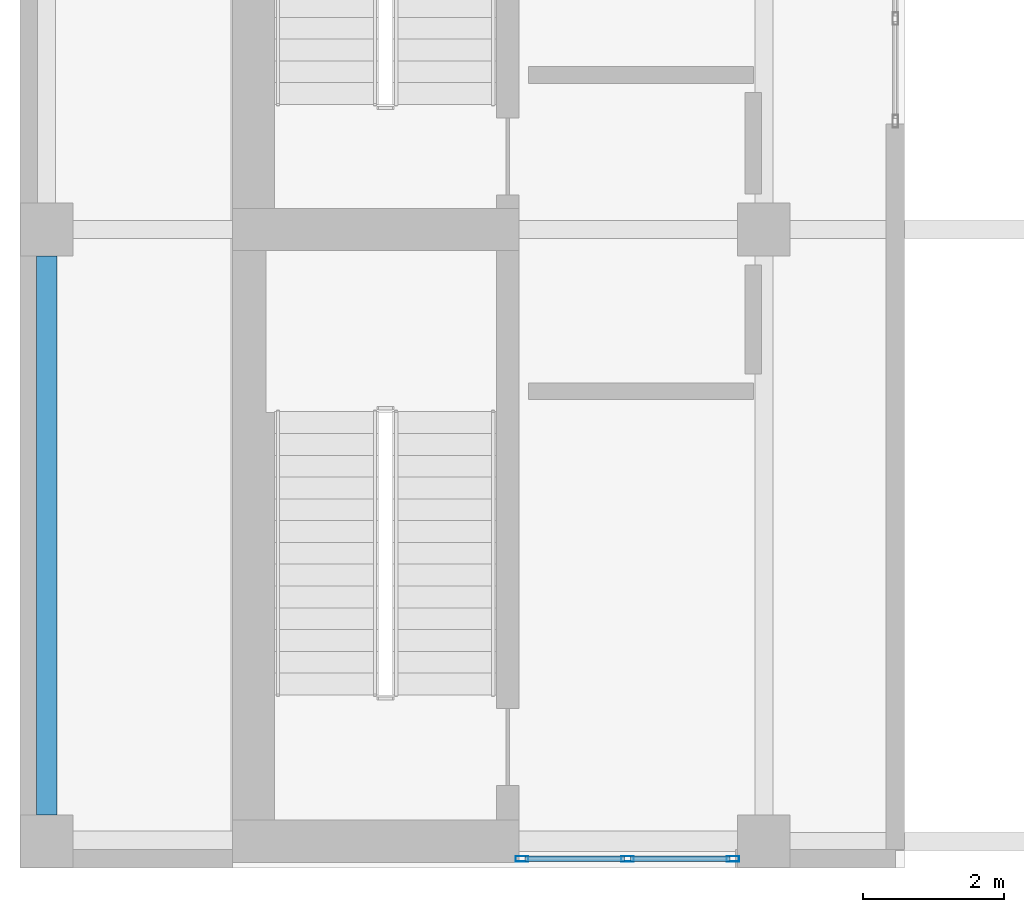
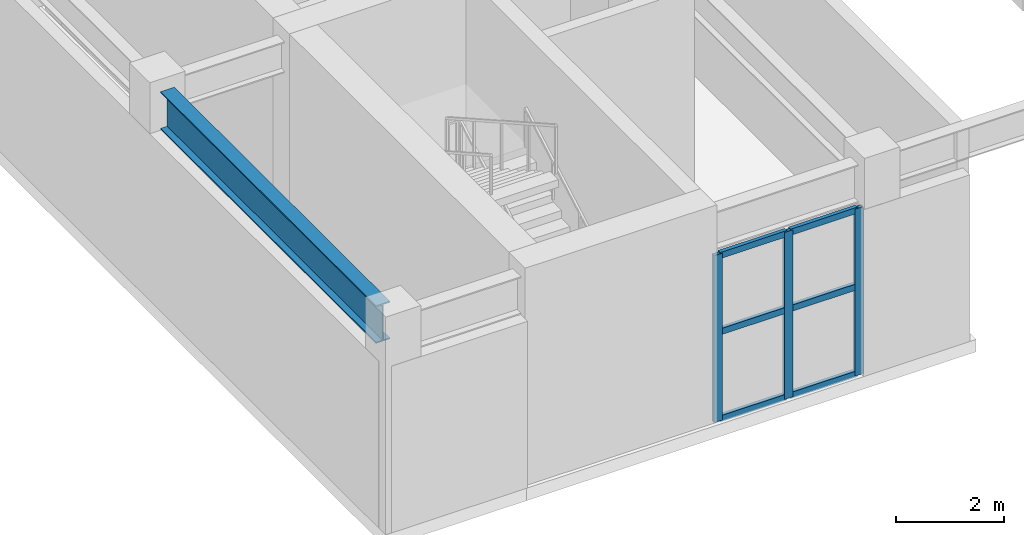
# One storey, part 2 of 11: 9 members, 1 beam, 1 element without a shape of its own.
"""IFC4 building model written with IfcOpenShell, lengths in metres."""

from ifc_helpers import new_model, si_unit, direction, frame, origin, origin_2d, place, context, subcontext, project, spatial, hollow_rectangle, i_section, extrude, material, layer, layer_set, material_profile, profile_set, type_object, element, aggregate, save


model = new_model("IFC4")

# Units and contexts
model_context = context("Model", 3, precision=1e-05, world=origin(), true_north=direction((0.0, 1.0)))
body_context = subcontext(model_context, "Body", "Model", "MODEL_VIEW")
ifc_project = project(units=[si_unit("LENGTHUNIT", "METRE"), si_unit("AREAUNIT", "SQUARE_METRE"), si_unit("VOLUMEUNIT", "CUBIC_METRE"), si_unit("PLANEANGLEUNIT", "RADIAN"), si_unit("MASSUNIT", "GRAM", prefix="KILO")], contexts=[model_context])

# Site, building, storey
site_placement = place(None, origin())
site = spatial("IfcSite", under=ifc_project, at=site_placement, CompositionType="ELEMENT")
building_placement = place(site_placement, origin())
building = spatial("IfcBuilding", under=site, at=building_placement, Name="Solanera Arch Residences", CompositionType="ELEMENT")
storey_placement = place(building_placement, frame((0.0, 0.0, 287.8798828125)))
storey = spatial("IfcBuildingStorey", under=building, at=storey_placement, Name="L82", CompositionType="ELEMENT", Elevation=287.8798828125)

# Curtain wall, members
ifc_material_1 = material(Name="Anodised Aluminium Alloy 6063-T6", Category="aluminium")
ifc_layer = layer(ifc_material_1, 0.199951171875)
ifc_layer_set = layer_set([ifc_layer], Name="Anodised Aluminium Alloy 6063-T6")
curtain_wall_type = type_object("IfcCurtainWallType", Name="CW-5 Observatory High-Wind Curtain Wall", PredefinedType="USERDEFINED", material=ifc_layer_set)
curtain_wall_placement = place(storey_placement, origin())
curtain_wall = element("IfcCurtainWall", 1, at=curtain_wall_placement, inside=storey, type_object=curtain_wall_type, Name="L82 Crown South Observatory Curtain Wall", ObjectType="CURTAIN_WALL", PredefinedType="USERDEFINED")
ifc_material_2 = material(Name="Anodised Aluminium Alloy 6063-T6", Category="aluminium")
ifc_material_profile_1 = material_profile(ifc_material_2, hollow_rectangle(XDim=0.080078125, YDim=0.179931640625, WallThickness=0.00390625, at=origin_2d()))
ifc_profile_set_1 = profile_set([ifc_material_profile_1], Name="Anodised Aluminium Alloy 6063-T6")
member_type_1 = type_object("IfcMemberType", Name="Curtain Wall Mullion ALU-MUL-80X180", PredefinedType="MULLION", material=ifc_profile_set_1)
member_1_placement = place(storey_placement, frame((20.360107421875, 21.75, 0.0), z_axis=(0.0, 0.0, 1.0), x_axis=(0.0, -1.0, 0.0)))
member_1 = element("IfcMember", 2, at=member_1_placement, type_object=member_type_1, Name="CW-5 mullion 1", PredefinedType="MULLION", context=body_context, shape_type="SweptSolid", body=[
    extrude(hollow_rectangle(XDim=0.080078125, YDim=0.179931640625, WallThickness=0.00390625, at=origin_2d()), origin(), (0.0, 0.0, 1.0), 3.760009765625),
])
member_2_placement = place(storey_placement, frame((18.860107421875, 21.75, 0.0), z_axis=(0.0, 0.0, 1.0), x_axis=(0.0, -1.0, 0.0)))
member_2 = element("IfcMember", 3, at=member_2_placement, type_object=member_type_1, Name="CW-5 mullion 2", PredefinedType="MULLION", context=body_context, shape_type="SweptSolid", body=[
    extrude(hollow_rectangle(XDim=0.080078125, YDim=0.179931640625, WallThickness=0.00390625, at=origin_2d()), origin(), (0.0, 0.0, 1.0), 3.760009765625),
])
member_3_placement = place(storey_placement, frame((17.360107421875, 21.75, 0.0), z_axis=(0.0, 0.0, 1.0), x_axis=(0.0, -1.0, 0.0)))
member_3 = element("IfcMember", 4, at=member_3_placement, type_object=member_type_1, Name="CW-5 mullion 3", PredefinedType="MULLION", context=body_context, shape_type="SweptSolid", body=[
    extrude(hollow_rectangle(XDim=0.080078125, YDim=0.179931640625, WallThickness=0.00390625, at=origin_2d()), origin(), (0.0, 0.0, 1.0), 3.760009765625),
])
ifc_material_3 = material(Name="Anodised Aluminium Alloy 6063-T6", Category="aluminium")
ifc_material_profile_2 = material_profile(ifc_material_3, hollow_rectangle(XDim=0.080078125, YDim=0.139892578125, WallThickness=0.00390625, at=origin_2d()))
ifc_profile_set_2 = profile_set([ifc_material_profile_2], Name="Anodised Aluminium Alloy 6063-T6")
member_type_2 = type_object("IfcMemberType", Name="Curtain Wall Transom ALU-TRN-80X140", PredefinedType="USERDEFINED", material=ifc_profile_set_2)
member_4_placement = place(storey_placement, frame((20.320068359375, 21.75, 0.0400390625), z_axis=(-1.0, 0.0, 0.0), x_axis=(0.0, -1.0, 0.0)))
member_4 = element("IfcMember", 5, at=member_4_placement, type_object=member_type_2, Name="CW-5 transom 1.1", ObjectType="TRANSOM", PredefinedType="USERDEFINED", context=body_context, shape_type="SweptSolid", body=[
    extrude(hollow_rectangle(XDim=0.080078125, YDim=0.139892578125, WallThickness=0.00390625, at=origin_2d()), origin(), (0.0, 0.0, 1.0), 1.420166015625),
])
member_5_placement = place(storey_placement, frame((20.320068359375, 21.75, 2.0), z_axis=(-1.0, 0.0, 0.0), x_axis=(0.0, -1.0, 0.0)))
member_5 = element("IfcMember", 6, at=member_5_placement, type_object=member_type_2, Name="CW-5 transom 1.2", ObjectType="TRANSOM", PredefinedType="USERDEFINED", context=body_context, shape_type="SweptSolid", body=[
    extrude(hollow_rectangle(XDim=0.080078125, YDim=0.139892578125, WallThickness=0.00390625, at=origin_2d()), origin(), (0.0, 0.0, 1.0), 1.420166015625),
])
member_6_placement = place(storey_placement, frame((20.320068359375, 21.75, 3.72021484375), z_axis=(-1.0, 0.0, 0.0), x_axis=(0.0, -1.0, 0.0)))
member_6 = element("IfcMember", 7, at=member_6_placement, type_object=member_type_2, Name="CW-5 transom 1.3", ObjectType="TRANSOM", PredefinedType="USERDEFINED", context=body_context, shape_type="SweptSolid", body=[
    extrude(hollow_rectangle(XDim=0.080078125, YDim=0.139892578125, WallThickness=0.00390625, at=origin_2d()), origin(), (0.0, 0.0, 1.0), 1.420166015625),
])
member_7_placement = place(storey_placement, frame((18.820068359375, 21.75, 0.0400390625), z_axis=(-1.0, 0.0, 0.0), x_axis=(0.0, -1.0, 0.0)))
member_7 = element("IfcMember", 8, at=member_7_placement, type_object=member_type_2, Name="CW-5 transom 2.1", ObjectType="TRANSOM", PredefinedType="USERDEFINED", context=body_context, shape_type="SweptSolid", body=[
    extrude(hollow_rectangle(XDim=0.080078125, YDim=0.139892578125, WallThickness=0.00390625, at=origin_2d()), origin(), (0.0, 0.0, 1.0), 1.420166015625),
])
member_8_placement = place(storey_placement, frame((18.820068359375, 21.75, 2.0), z_axis=(-1.0, 0.0, 0.0), x_axis=(0.0, -1.0, 0.0)))
member_8 = element("IfcMember", 9, at=member_8_placement, type_object=member_type_2, Name="CW-5 transom 2.2", ObjectType="TRANSOM", PredefinedType="USERDEFINED", context=body_context, shape_type="SweptSolid", body=[
    extrude(hollow_rectangle(XDim=0.080078125, YDim=0.139892578125, WallThickness=0.00390625, at=origin_2d()), origin(), (0.0, 0.0, 1.0), 1.420166015625),
])
member_9_placement = place(storey_placement, frame((18.820068359375, 21.75, 3.72021484375), z_axis=(-1.0, 0.0, 0.0), x_axis=(0.0, -1.0, 0.0)))
member_9 = element("IfcMember", 10, at=member_9_placement, type_object=member_type_2, Name="CW-5 transom 2.3", ObjectType="TRANSOM", PredefinedType="USERDEFINED", context=body_context, shape_type="SweptSolid", body=[
    extrude(hollow_rectangle(XDim=0.080078125, YDim=0.139892578125, WallThickness=0.00390625, at=origin_2d()), origin(), (0.0, 0.0, 1.0), 1.420166015625),
])
aggregate(curtain_wall, [member_1, member_2, member_3, member_4, member_5, member_6, member_7, member_8, member_9])

# Beam
ifc_material_4 = material(Name="Steel S355 (ASTM A992 / A572 Grade 50)", Category="steel")
ifc_material_profile_3 = material_profile(ifc_material_4, i_section(OverallWidth=0.2939453125, OverallDepth=0.85107421875, WebThickness=0.01611328125, FlangeThickness=0.02685546875, at=origin_2d()))
ifc_profile_set_3 = profile_set([ifc_material_profile_3], Name="Steel S355 (ASTM A992 / A572 Grade 50)")
beam_type = type_object("IfcBeamType", Name="Primary Beam W840X226", PredefinedType="BEAM", material=ifc_profile_set_3)
beam_placement = place(storey_placement, frame((10.60009765625, 22.375, 4.195068359375), z_axis=(0.0, 1.0, 0.0), x_axis=(-1.0, 0.0, 0.0)))
element("IfcBeam", 11, at=beam_placement, inside=storey, type_object=beam_type, Name="BM-L82-CR-W1", PredefinedType="BEAM", context=body_context, shape_type="SweptSolid", body=[
    extrude(i_section(OverallWidth=0.2939453125, OverallDepth=0.85107421875, WebThickness=0.01611328125, FlangeThickness=0.02685546875, at=origin_2d()), origin(), (0.0, 0.0, 1.0), 7.949951171875),
])

save(model, "model.ifc")
